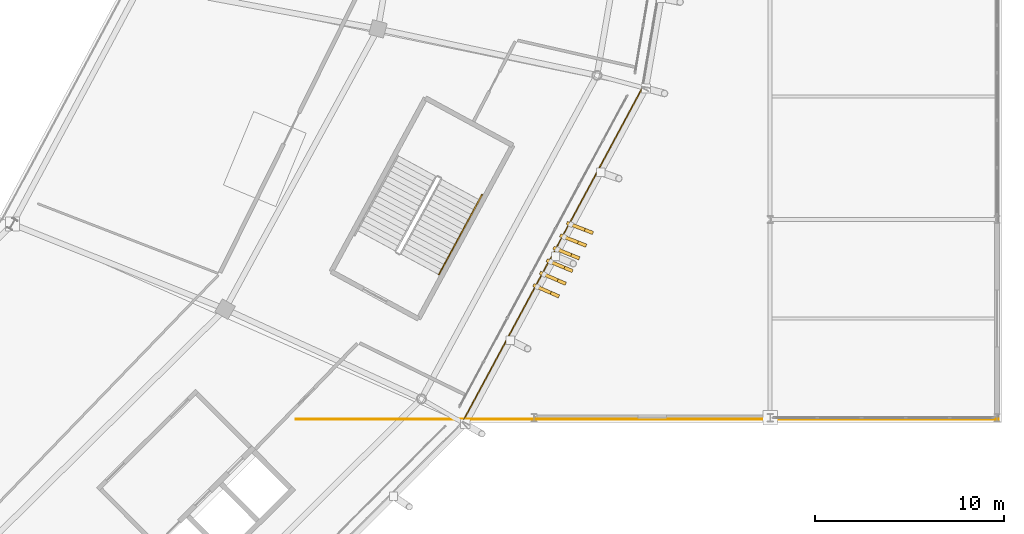
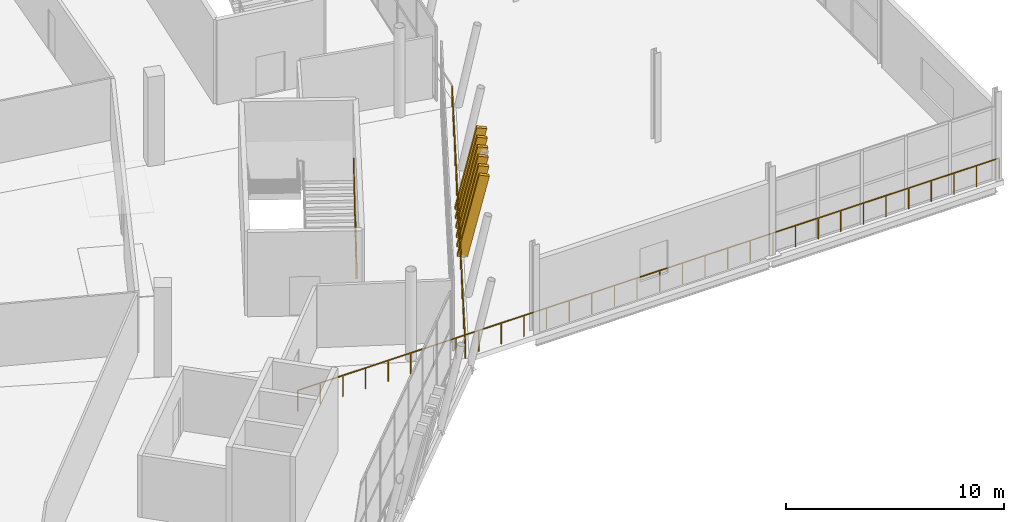
# One storey, part 164 of 179: 6 shading devices, 3 railings.
"""IFC4 building model written with IfcOpenShell, lengths in metres."""

from ifc_helpers import new_model, si_unit, direction, frame, origin, origin_2d, place, context, subcontext, project, spatial, rectangle, extrude, material, material_profile, profile_set, type_object, element, save


model = new_model("IFC4")

# Units and contexts
model_context = context("Model", 3, precision=1e-05, world=origin(), true_north=direction((0.0, 1.0)))
body_context = subcontext(model_context, "Body", "Model", "MODEL_VIEW")
ifc_project = project(units=[si_unit("LENGTHUNIT", "METRE"), si_unit("AREAUNIT", "SQUARE_METRE"), si_unit("VOLUMEUNIT", "CUBIC_METRE"), si_unit("PLANEANGLEUNIT", "RADIAN"), si_unit("MASSUNIT", "GRAM", prefix="KILO")], contexts=[model_context])

# Site, building, storey
site_placement = place(None, origin())
site = spatial("IfcSite", under=ifc_project, at=site_placement, CompositionType="ELEMENT")
building_placement = place(site_placement, origin())
building = spatial("IfcBuilding", under=site, at=building_placement, Name="Zlatoyarsky Gate Stadium", CompositionType="ELEMENT")
storey_placement = place(building_placement, frame((0.0, 0.0, 10.60009765625)))
storey = spatial("IfcBuildingStorey", under=building, at=storey_placement, Name="L02", CompositionType="ELEMENT", Elevation=10.60009765625)

# Railings
ifc_material_1 = material(Name="Powder-coated steel tubular guardrail", Category="steel")
railing_type_1 = type_object("IfcRailingType", Name="CONCOURSE SLAB EDGE GUARDRAIL 1200", PredefinedType="GUARDRAIL", material=ifc_material_1)
railing_1_placement = place(storey_placement, frame((193.701904296875, 43.251953125, 0.0)))
element("IfcRailing", 1, at=railing_1_placement, inside=storey, type_object=railing_type_1, Name="L02 outer slab edge guardrail 22", PredefinedType="GUARDRAIL", context=body_context, shape_type="SweptSolid", body=[
    extrude(rectangle(XDim=0.048095703125, YDim=0.048095703125, at=origin_2d()), frame((0.0, 0.0, 1.17578125), z_axis=(0.473921172819, 0.880567272815, 0.0), x_axis=(-0.880567272815, 0.473921172819, 0.0)), (0.0, 0.0, 1.0), 20.130126953125),
    extrude(rectangle(XDim=0.0419921875, YDim=0.0419921875, at=origin_2d()), origin(), (0.0, 0.0, 1.0), 1.15185546875),
    extrude(rectangle(XDim=0.0419921875, YDim=0.0419921875, at=origin_2d()), frame((0.561279296875, 1.042724609375, 0.0)), (0.0, 0.0, 1.0), 1.15185546875),
    extrude(rectangle(XDim=0.0419921875, YDim=0.0419921875, at=origin_2d()), frame((1.122314453125, 2.08544921875, 0.0)), (0.0, 0.0, 1.0), 1.15185546875),
    extrude(rectangle(XDim=0.0419921875, YDim=0.0419921875, at=origin_2d()), frame((1.68359375, 3.128173828125, 0.0)), (0.0, 0.0, 1.0), 1.15185546875),
    extrude(rectangle(XDim=0.0419921875, YDim=0.0419921875, at=origin_2d()), frame((2.24462890625, 4.1708984375, 0.0)), (0.0, 0.0, 1.0), 1.15185546875),
    extrude(rectangle(XDim=0.0419921875, YDim=0.0419921875, at=origin_2d()), frame((2.805908203125, 5.21337890625, 0.0)), (0.0, 0.0, 1.0), 1.15185546875),
    extrude(rectangle(XDim=0.0419921875, YDim=0.0419921875, at=origin_2d()), frame((3.3671875, 6.256103515625, 0.0)), (0.0, 0.0, 1.0), 1.15185546875),
    extrude(rectangle(XDim=0.0419921875, YDim=0.0419921875, at=origin_2d()), frame((3.92822265625, 7.298828125, 0.0)), (0.0, 0.0, 1.0), 1.15185546875),
    extrude(rectangle(XDim=0.0419921875, YDim=0.0419921875, at=origin_2d()), frame((4.489501953125, 8.341552734375, 0.0)), (0.0, 0.0, 1.0), 1.15185546875),
    extrude(rectangle(XDim=0.0419921875, YDim=0.0419921875, at=origin_2d()), frame((5.050537109375, 9.38427734375, 0.0)), (0.0, 0.0, 1.0), 1.15185546875),
    extrude(rectangle(XDim=0.0419921875, YDim=0.0419921875, at=origin_2d()), frame((5.61181640625, 10.427001953125, 0.0)), (0.0, 0.0, 1.0), 1.15185546875),
    extrude(rectangle(XDim=0.0419921875, YDim=0.0419921875, at=origin_2d()), frame((6.1728515625, 11.4697265625, 0.0)), (0.0, 0.0, 1.0), 1.15185546875),
    extrude(rectangle(XDim=0.0419921875, YDim=0.0419921875, at=origin_2d()), frame((6.734130859375, 12.512451171875, 0.0)), (0.0, 0.0, 1.0), 1.15185546875),
    extrude(rectangle(XDim=0.0419921875, YDim=0.0419921875, at=origin_2d()), frame((7.29541015625, 13.554931640625, 0.0)), (0.0, 0.0, 1.0), 1.15185546875),
    extrude(rectangle(XDim=0.0419921875, YDim=0.0419921875, at=origin_2d()), frame((7.8564453125, 14.59765625, 0.0)), (0.0, 0.0, 1.0), 1.15185546875),
    extrude(rectangle(XDim=0.0419921875, YDim=0.0419921875, at=origin_2d()), frame((8.417724609375, 15.640380859375, 0.0)), (0.0, 0.0, 1.0), 1.15185546875),
    extrude(rectangle(XDim=0.0419921875, YDim=0.0419921875, at=origin_2d()), frame((8.978759765625, 16.68310546875, 0.0)), (0.0, 0.0, 1.0), 1.15185546875),
    extrude(rectangle(XDim=0.0419921875, YDim=0.0419921875, at=origin_2d()), frame((9.5400390625, 17.725830078125, 0.0)), (0.0, 0.0, 1.0), 1.15185546875),
])
railing_2_placement = place(storey_placement, frame((184.919921875, 43.419921875, 0.0)))
element("IfcRailing", 2, at=railing_2_placement, inside=storey, type_object=railing_type_1, Name="V5_EAST L02 S slab edge guardrail", PredefinedType="GUARDRAIL", context=body_context, shape_type="SweptSolid", body=[
    extrude(rectangle(XDim=0.048095703125, YDim=0.048095703125, at=origin_2d()), frame((0.0, 0.0, 1.17578125), z_axis=(1.0, 0.0, 0.0), x_axis=(0.0, 1.0, 0.0)), (0.0, 0.0, 1.0), 37.16015625),
    extrude(rectangle(XDim=0.0419921875, YDim=0.0419921875, at=origin_2d()), origin(), (0.0, 0.0, 1.0), 1.15185546875),
    extrude(rectangle(XDim=0.0419921875, YDim=0.0419921875, at=origin_2d()), frame((1.19873046875, 0.0, 0.0)), (0.0, 0.0, 1.0), 1.15185546875),
    extrude(rectangle(XDim=0.0419921875, YDim=0.0419921875, at=origin_2d()), frame((2.3974609375, 0.0, 0.0)), (0.0, 0.0, 1.0), 1.15185546875),
    extrude(rectangle(XDim=0.0419921875, YDim=0.0419921875, at=origin_2d()), frame((3.59619140625, 0.0, 0.0)), (0.0, 0.0, 1.0), 1.15185546875),
    extrude(rectangle(XDim=0.0419921875, YDim=0.0419921875, at=origin_2d()), frame((4.794921875, 0.0, 0.0)), (0.0, 0.0, 1.0), 1.15185546875),
    extrude(rectangle(XDim=0.0419921875, YDim=0.0419921875, at=origin_2d()), frame((5.99365234375, 0.0, 0.0)), (0.0, 0.0, 1.0), 1.15185546875),
    extrude(rectangle(XDim=0.0419921875, YDim=0.0419921875, at=origin_2d()), frame((7.1923828125, 0.0, 0.0)), (0.0, 0.0, 1.0), 1.15185546875),
    extrude(rectangle(XDim=0.0419921875, YDim=0.0419921875, at=origin_2d()), frame((8.39111328125, 0.0, 0.0)), (0.0, 0.0, 1.0), 1.15185546875),
    extrude(rectangle(XDim=0.0419921875, YDim=0.0419921875, at=origin_2d()), frame((9.589599609375, 0.0, 0.0)), (0.0, 0.0, 1.0), 1.15185546875),
    extrude(rectangle(XDim=0.0419921875, YDim=0.0419921875, at=origin_2d()), frame((10.788330078125, 0.0, 0.0)), (0.0, 0.0, 1.0), 1.15185546875),
    extrude(rectangle(XDim=0.0419921875, YDim=0.0419921875, at=origin_2d()), frame((11.987060546875, 0.0, 0.0)), (0.0, 0.0, 1.0), 1.15185546875),
    extrude(rectangle(XDim=0.0419921875, YDim=0.0419921875, at=origin_2d()), frame((13.185791015625, 0.0, 0.0)), (0.0, 0.0, 1.0), 1.15185546875),
    extrude(rectangle(XDim=0.0419921875, YDim=0.0419921875, at=origin_2d()), frame((14.384521484375, 0.0, 0.0)), (0.0, 0.0, 1.0), 1.15185546875),
    extrude(rectangle(XDim=0.0419921875, YDim=0.0419921875, at=origin_2d()), frame((15.583251953125, 0.0, 0.0)), (0.0, 0.0, 1.0), 1.15185546875),
    extrude(rectangle(XDim=0.0419921875, YDim=0.0419921875, at=origin_2d()), frame((16.781982421875, 0.0, 0.0)), (0.0, 0.0, 1.0), 1.15185546875),
    extrude(rectangle(XDim=0.0419921875, YDim=0.0419921875, at=origin_2d()), frame((17.980712890625, 0.0, 0.0)), (0.0, 0.0, 1.0), 1.15185546875),
    extrude(rectangle(XDim=0.0419921875, YDim=0.0419921875, at=origin_2d()), frame((19.179443359375, 0.0, 0.0)), (0.0, 0.0, 1.0), 1.15185546875),
    extrude(rectangle(XDim=0.0419921875, YDim=0.0419921875, at=origin_2d()), frame((20.378173828125, 0.0, 0.0)), (0.0, 0.0, 1.0), 1.15185546875),
    extrude(rectangle(XDim=0.0419921875, YDim=0.0419921875, at=origin_2d()), frame((21.576904296875, 0.0, 0.0)), (0.0, 0.0, 1.0), 1.15185546875),
    extrude(rectangle(XDim=0.0419921875, YDim=0.0419921875, at=origin_2d()), frame((22.775634765625, 0.0, 0.0)), (0.0, 0.0, 1.0), 1.15185546875),
    extrude(rectangle(XDim=0.0419921875, YDim=0.0419921875, at=origin_2d()), frame((23.974365234375, 0.0, 0.0)), (0.0, 0.0, 1.0), 1.15185546875),
    extrude(rectangle(XDim=0.0419921875, YDim=0.0419921875, at=origin_2d()), frame((25.173095703125, 0.0, 0.0)), (0.0, 0.0, 1.0), 1.15185546875),
    extrude(rectangle(XDim=0.0419921875, YDim=0.0419921875, at=origin_2d()), frame((26.371826171875, 0.0, 0.0)), (0.0, 0.0, 1.0), 1.15185546875),
    extrude(rectangle(XDim=0.0419921875, YDim=0.0419921875, at=origin_2d()), frame((27.570556640625, 0.0, 0.0)), (0.0, 0.0, 1.0), 1.15185546875),
    extrude(rectangle(XDim=0.0419921875, YDim=0.0419921875, at=origin_2d()), frame((28.76904296875, 0.0, 0.0)), (0.0, 0.0, 1.0), 1.15185546875),
    extrude(rectangle(XDim=0.0419921875, YDim=0.0419921875, at=origin_2d()), frame((29.9677734375, 0.0, 0.0)), (0.0, 0.0, 1.0), 1.15185546875),
    extrude(rectangle(XDim=0.0419921875, YDim=0.0419921875, at=origin_2d()), frame((31.16650390625, 0.0, 0.0)), (0.0, 0.0, 1.0), 1.15185546875),
    extrude(rectangle(XDim=0.0419921875, YDim=0.0419921875, at=origin_2d()), frame((32.365234375, 0.0, 0.0)), (0.0, 0.0, 1.0), 1.15185546875),
    extrude(rectangle(XDim=0.0419921875, YDim=0.0419921875, at=origin_2d()), frame((33.56396484375, 0.0, 0.0)), (0.0, 0.0, 1.0), 1.15185546875),
    extrude(rectangle(XDim=0.0419921875, YDim=0.0419921875, at=origin_2d()), frame((34.7626953125, 0.0, 0.0)), (0.0, 0.0, 1.0), 1.15185546875),
    extrude(rectangle(XDim=0.0419921875, YDim=0.0419921875, at=origin_2d()), frame((35.96142578125, 0.0, 0.0)), (0.0, 0.0, 1.0), 1.15185546875),
    extrude(rectangle(XDim=0.0419921875, YDim=0.0419921875, at=origin_2d()), frame((37.16015625, 0.0, 0.0)), (0.0, 0.0, 1.0), 1.15185546875),
])

# Shading devices
ifc_material_2 = material(Name="Precast concrete C40/50 stone-toned architectural rib", Category="masonry")
ifc_material_profile = material_profile(ifc_material_2, rectangle(XDim=0.179931640625, YDim=0.47998046875, at=origin_2d()), Name="RIB 180X480")
ifc_profile_set = profile_set([ifc_material_profile], Name="Precast concrete C40/50 stone-toned architectural rib")
shading_device_type = type_object("IfcShadingDeviceType", Name="PRECAST RIBBED BOWL LOUVRE FIN 180X480", PredefinedType="JALOUSIE", material=ifc_profile_set)
shading_device_placement = place(storey_placement, frame((197.675048828125, 50.42578125, -0.010009765625), z_axis=(0.202575025722, -0.089755828553, 0.975144732947), x_axis=(0.405092293285, 0.914275797515, 0.0)))
element("IfcShadingDevice", 3, at=shading_device_placement, inside=storey, type_object=shading_device_type, Name="Leaning bowl louvre fin L02-22-1", PredefinedType="JALOUSIE", context=body_context, shape_type="SweptSolid", body=[
    extrude(rectangle(XDim=0.179931640625, YDim=0.47998046875, at=origin_2d()), origin(), (0.0, 0.0, 1.0), 4.59423828125),
])
for number, where, z_axis, x_axis, name in (
    (4, (198.030517578125, 51.086181640625, -0.010009765625), (0.203375688997, -0.087737983416, 0.975161717558), (0.396118875859, 0.918199235563, 0.0), "Leaning bowl louvre fin L02-22-2"),
    (5, (198.3857421875, 51.746826171875, -0.010009765625), (0.204225414002, -0.08577148535, 0.975159080651), (0.387220248003, 0.92198724478, 0.0), "Leaning bowl louvre fin L02-22-3"),
    (6, (198.7412109375, 52.4072265625, -0.010009765625), (0.20502419839, -0.083752757041, 0.975166936356), (0.378165632721, 0.925737951166, 0.0), "Leaning bowl louvre fin L02-22-4"),
):
    element("IfcShadingDevice", number, at=place(storey_placement, frame(where, z_axis=z_axis, x_axis=x_axis)), inside=storey, type_object=shading_device_type, Name=name, PredefinedType="JALOUSIE", context=body_context, shape_type="SweptSolid", body=[
        extrude(rectangle(XDim=0.179931640625, YDim=0.47998046875, at=origin_2d()), origin(), (0.0, 0.0, 1.0), 4.593994140625),
    ])
for number, where, z_axis, x_axis, name in (
    (7, (199.096435546875, 53.067626953125, -0.010009765625), (0.205923805204, -0.081731822556, 0.975148858191), (0.368908017299, 0.929465908343, 0.0), "Leaning bowl louvre fin L02-22-5"),
    (8, (199.451904296875, 53.728271484375, -0.010009765625), (0.206719752707, -0.07976512823, 0.975143306473), (0.359991364661, 0.932955635263, 0.0), "Leaning bowl louvre fin L02-22-6"),
):
    element("IfcShadingDevice", number, at=place(storey_placement, frame(where, z_axis=z_axis, x_axis=x_axis)), inside=storey, type_object=shading_device_type, Name=name, PredefinedType="JALOUSIE", context=body_context, shape_type="SweptSolid", body=[
        extrude(rectangle(XDim=0.179931640625, YDim=0.47998046875, at=origin_2d()), origin(), (0.0, 0.0, 1.0), 4.59423828125),
    ])

# Railing
ifc_material_3 = material(Name="Brushed stainless steel 316 handrail", Category="steel")
railing_type_2 = type_object("IfcRailingType", Name="STAINLESS STEEL TUBULAR HANDRAIL 900", PredefinedType="HANDRAIL", material=ifc_material_3)
railing_3_placement = place(storey_placement, frame((192.458984375, 51.078125, 0.16015625)))
element("IfcRailing", 9, at=railing_3_placement, inside=storey, type_object=railing_type_2, Name="ST-12 L02 stair handrail 1", PredefinedType="HANDRAIL", context=body_context, shape_type="SweptSolid", body=[
    extrude(rectangle(XDim=0.048095703125, YDim=0.048095703125, at=origin_2d()), frame((0.0, 0.0, 0.8759765625), z_axis=(0.422960733392, 0.779563186192, 0.461936637151), x_axis=(-0.878962478599, 0.4768909322, 0.0)), (0.0, 0.0, 1.0), 5.412109375),
    extrude(rectangle(XDim=0.0419921875, YDim=0.0419921875, at=origin_2d()), origin(), (0.0, 0.0, 1.0), 0.851806640625),
    extrude(rectangle(XDim=0.0419921875, YDim=0.0419921875, at=origin_2d()), frame((0.457763671875, 0.84375, 0.5)), (0.0, 0.0, 1.0), 0.851806640625),
    extrude(rectangle(XDim=0.0419921875, YDim=0.0419921875, at=origin_2d()), frame((0.91552734375, 1.6875, 1.0)), (0.0, 0.0, 1.0), 0.851806640625),
    extrude(rectangle(XDim=0.0419921875, YDim=0.0419921875, at=origin_2d()), frame((1.37353515625, 2.531494140625, 1.5)), (0.0, 0.0, 1.0), 0.851806640625),
    extrude(rectangle(XDim=0.0419921875, YDim=0.0419921875, at=origin_2d()), frame((1.831298828125, 3.375244140625, 2.0)), (0.0, 0.0, 1.0), 0.851806640625),
    extrude(rectangle(XDim=0.0419921875, YDim=0.0419921875, at=origin_2d()), frame((2.2890625, 4.218994140625, 2.5)), (0.0, 0.0, 1.0), 0.851806640625),
])

save(model, "model.ifc")
